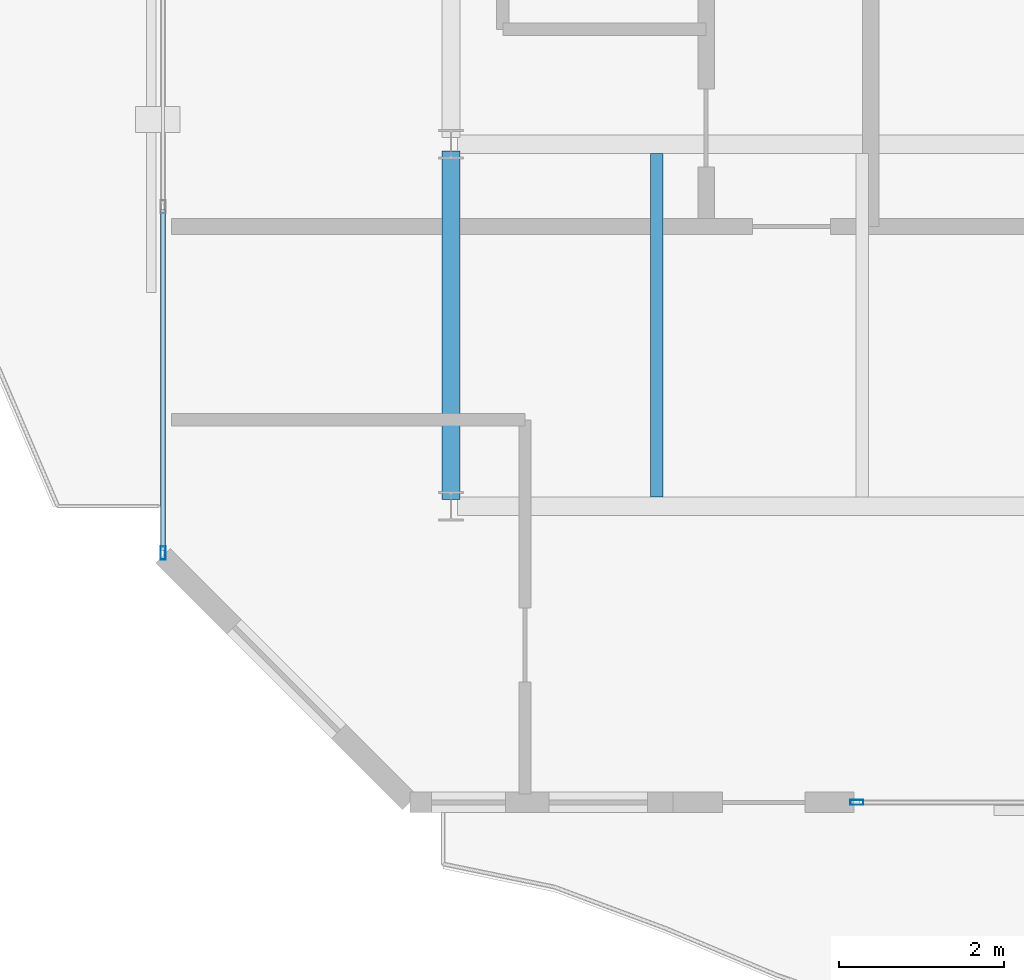
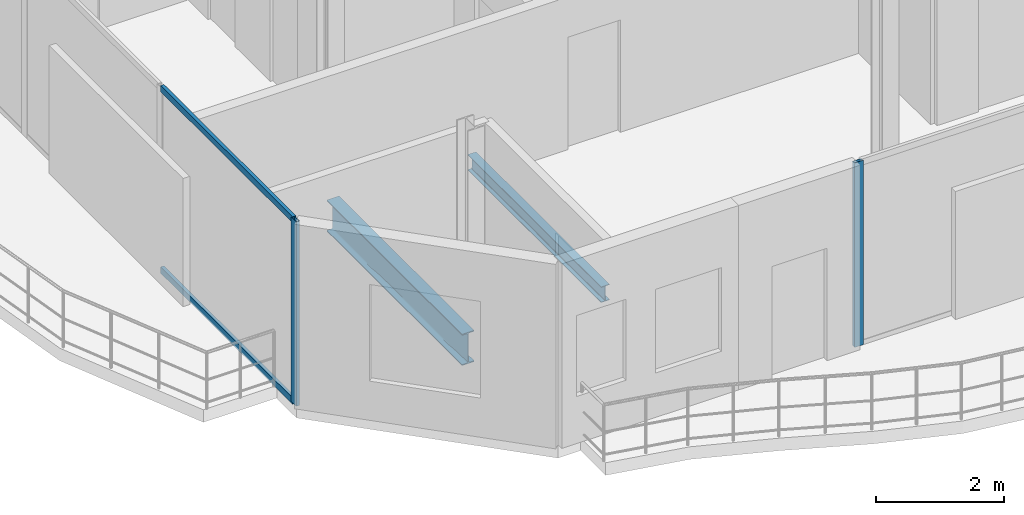
# One storey, part 3 of 22: 4 members, 2 beams, 2 elements without a shape of their own.
"""IFC4 building model written with IfcOpenShell, lengths in metres."""

from ifc_helpers import new_model, si_unit, direction, frame, origin, origin_2d, place, context, subcontext, project, spatial, hollow_rectangle, i_section, extrude, material, layer, layer_set, material_profile, profile_set, type_object, element, aggregate, save


model = new_model("IFC4")

# Units and contexts
model_context = context("Model", 3, precision=1e-05, world=origin(), true_north=direction((0.0, 1.0)))
body_context = subcontext(model_context, "Body", "Model", "MODEL_VIEW")
ifc_project = project(units=[si_unit("LENGTHUNIT", "METRE"), si_unit("AREAUNIT", "SQUARE_METRE"), si_unit("VOLUMEUNIT", "CUBIC_METRE"), si_unit("PLANEANGLEUNIT", "RADIAN"), si_unit("MASSUNIT", "GRAM", prefix="KILO")], contexts=[model_context])

# Site, building, storey
site_placement = place(None, origin())
site = spatial("IfcSite", under=ifc_project, at=site_placement, CompositionType="ELEMENT")
building_placement = place(site_placement, origin())
building = spatial("IfcBuilding", under=site, at=building_placement, Name="Catumbela Crestline Tower", CompositionType="ELEMENT")
storey_placement = place(building_placement, frame((0.0, 0.0, 218.4)))
storey = spatial("IfcBuildingStorey", under=building, at=storey_placement, Name="L56", CompositionType="ELEMENT", Elevation=218.4)

# Beams
ifc_material_1 = material(Name="Structural steel S355J2", Category="steel")
ifc_material_profile_1 = material_profile(ifc_material_1, i_section(OverallWidth=0.22, OverallDepth=0.6, WebThickness=0.012, FlangeThickness=0.019, FilletRadius=0.024, at=origin_2d()), Name="IPE 600")
ifc_profile_set_1 = profile_set([ifc_material_profile_1], Name="Structural steel S355J2")
beam_type_1 = type_object("IfcBeamType", Name="BG-IPE600", PredefinedType="BEAM", material=ifc_profile_set_1)
beam_1_placement = place(storey_placement, frame((8.5, 13.68, -0.56), z_axis=(0.0, 1.0, 0.0), x_axis=(-1.0, 0.0, 0.0)))
element("IfcBeam", 1, at=beam_1_placement, inside=storey, type_object=beam_type_1, Name="L56 Beam BM-L56-WNS31", PredefinedType="BEAM", context=body_context, shape_type="SweptSolid", body=[
    extrude(i_section(OverallWidth=0.22, OverallDepth=0.6, WebThickness=0.012, FlangeThickness=0.019, FilletRadius=0.024, at=origin_2d()), origin(), (0.0, 0.0, 1.0), 4.24),
])
ifc_material_profile_2 = material_profile(ifc_material_1, i_section(OverallWidth=0.15, OverallDepth=0.3, WebThickness=0.0071, FlangeThickness=0.0107, FilletRadius=0.015, at=origin_2d()), Name="IPE 300")
ifc_profile_set_2 = profile_set([ifc_material_profile_2], Name="Structural steel S355J2")
beam_type_2 = type_object("IfcBeamType", Name="BJ-IPE300", PredefinedType="JOIST", material=ifc_profile_set_2)
beam_2_placement = place(storey_placement, frame((11.0, 13.71, -0.41), z_axis=(0.0, 1.0, 0.0), x_axis=(-1.0, 0.0, 0.0)))
element("IfcBeam", 2, at=beam_2_placement, inside=storey, type_object=beam_type_2, Name="L56 Joist JS-L56-WG36", PredefinedType="JOIST", context=body_context, shape_type="SweptSolid", body=[
    extrude(i_section(OverallWidth=0.15, OverallDepth=0.3, WebThickness=0.0071, FlangeThickness=0.0107, FilletRadius=0.015, at=origin_2d()), origin(), (0.0, 0.0, 1.0), 4.18),
])

# Curtain wall, member
ifc_material_2 = material(Name="Aluminium alloy AW-6060-T66", Category="aluminium")
ifc_layer = layer(ifc_material_2, 0.18, Name="Aluminium alloy AW-6060-T66")
ifc_layer_set = layer_set([ifc_layer], Name="Aluminium alloy AW-6060-T66")
curtain_wall_type = type_object("IfcCurtainWallType", Name="CWU-Z4", PredefinedType="USERDEFINED", material=ifc_layer_set)
curtain_wall_1_placement = place(storey_placement, origin())
curtain_wall_1 = element("IfcCurtainWall", 3, at=curtain_wall_1_placement, inside=storey, type_object=curtain_wall_type, Name="L56 Unitised Curtain Wall CW-L56-E0S2", ObjectType="UNITISED", PredefinedType="USERDEFINED")
ifc_material_profile_3 = material_profile(ifc_material_2, hollow_rectangle(XDim=0.06, YDim=0.16, WallThickness=0.004, at=origin_2d()), Name="ALU 160x60x4")
ifc_profile_set_3 = profile_set([ifc_material_profile_3], Name="Aluminium alloy AW-6060-T66")
member_type_1 = type_object("IfcMemberType", Name="MUL-160X60", PredefinedType="MULLION", material=ifc_profile_set_3)
member_1_placement = place(storey_placement, frame((13.4325, 10.0, 0.0), z_axis=(0.0, 0.0, 1.0), x_axis=(0.0, 1.0, 0.0)))
member_1 = element("IfcMember", 4, at=member_1_placement, type_object=member_type_1, Name="CWU-Z4 mullion 1", PredefinedType="MULLION", context=body_context, shape_type="SweptSolid", body=[
    extrude(hollow_rectangle(XDim=0.06, YDim=0.16, WallThickness=0.004, at=origin_2d()), origin(), (0.0, 0.0, 1.0), 3.53),
])
aggregate(curtain_wall_1, [member_1])

# Curtain wall, members
curtain_wall_2_placement = place(storey_placement, origin())
curtain_wall_2 = element("IfcCurtainWall", 5, at=curtain_wall_2_placement, inside=storey, type_object=curtain_wall_type, Name="L56 Unitised Curtain Wall CW-L56-E9S2", ObjectType="UNITISED", PredefinedType="USERDEFINED")
member_2_placement = place(storey_placement, frame((5.0, 13.0325, 0.0), z_axis=(0.0, 0.0, 1.0), x_axis=(1.0, 0.0, 0.0)))
member_2 = element("IfcMember", 6, at=member_2_placement, type_object=member_type_1, Name="CWU-Z4 mullion 6", PredefinedType="MULLION", context=body_context, shape_type="SweptSolid", body=[
    extrude(hollow_rectangle(XDim=0.06, YDim=0.16, WallThickness=0.004, at=origin_2d()), origin(), (0.0, 0.0, 1.0), 3.53),
])
ifc_material_profile_4 = material_profile(ifc_material_2, hollow_rectangle(XDim=0.06, YDim=0.12, WallThickness=0.0035, at=origin_2d()), Name="ALU 120x60x3.5")
ifc_profile_set_4 = profile_set([ifc_material_profile_4], Name="Aluminium alloy AW-6060-T66")
member_type_2 = type_object("IfcMemberType", Name="TRN-120X60", PredefinedType="USERDEFINED", material=ifc_profile_set_4)
member_3_placement = place(storey_placement, frame((5.0, 17.2075, 0.03), z_axis=(0.0, -1.0, 0.0), x_axis=(1.0, 0.0, 0.0)))
member_3 = element("IfcMember", 7, at=member_3_placement, type_object=member_type_2, Name="CWU-Z4 transom 5.1", ObjectType="TRANSOM", PredefinedType="USERDEFINED", context=body_context, shape_type="SweptSolid", body=[
    extrude(hollow_rectangle(XDim=0.06, YDim=0.12, WallThickness=0.0035, at=origin_2d()), origin(), (0.0, 0.0, 1.0), 4.1425),
])
member_4_placement = place(storey_placement, frame((5.0, 17.2075, 3.5), z_axis=(0.0, -1.0, 0.0), x_axis=(1.0, 0.0, 0.0)))
member_4 = element("IfcMember", 8, at=member_4_placement, type_object=member_type_2, Name="CWU-Z4 transom 5.2", ObjectType="TRANSOM", PredefinedType="USERDEFINED", context=body_context, shape_type="SweptSolid", body=[
    extrude(hollow_rectangle(XDim=0.06, YDim=0.12, WallThickness=0.0035, at=origin_2d()), origin(), (0.0, 0.0, 1.0), 4.1425),
])
aggregate(curtain_wall_2, [member_2, member_3, member_4])

save(model, "model.ifc")
